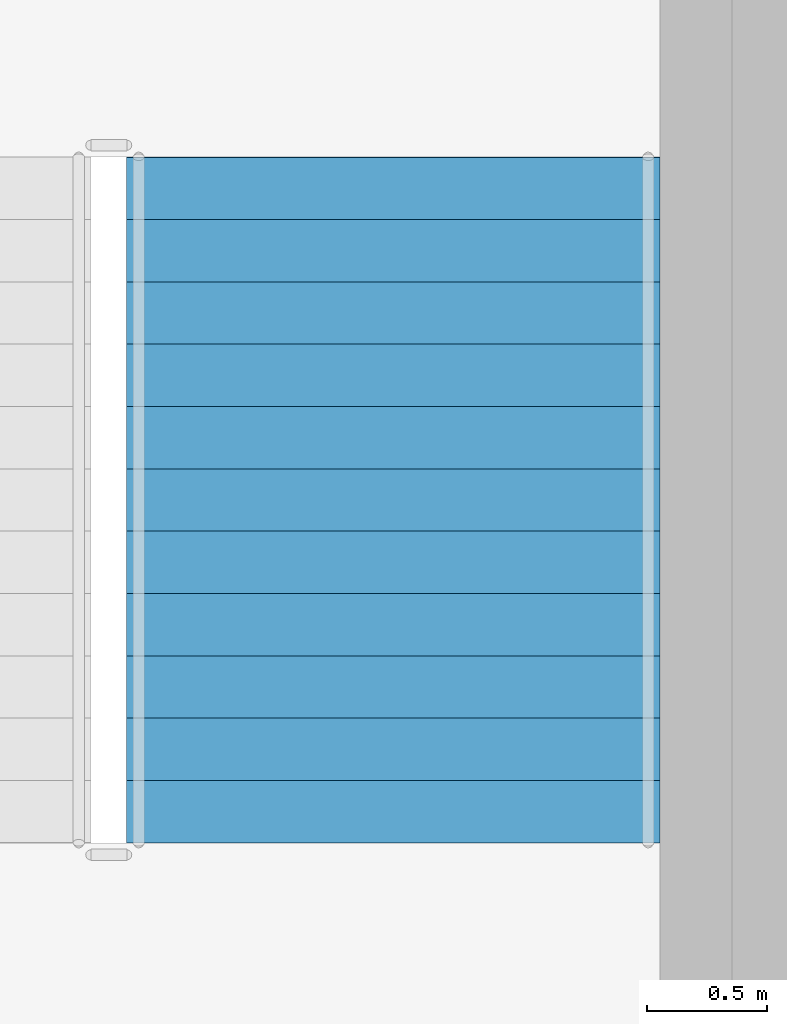
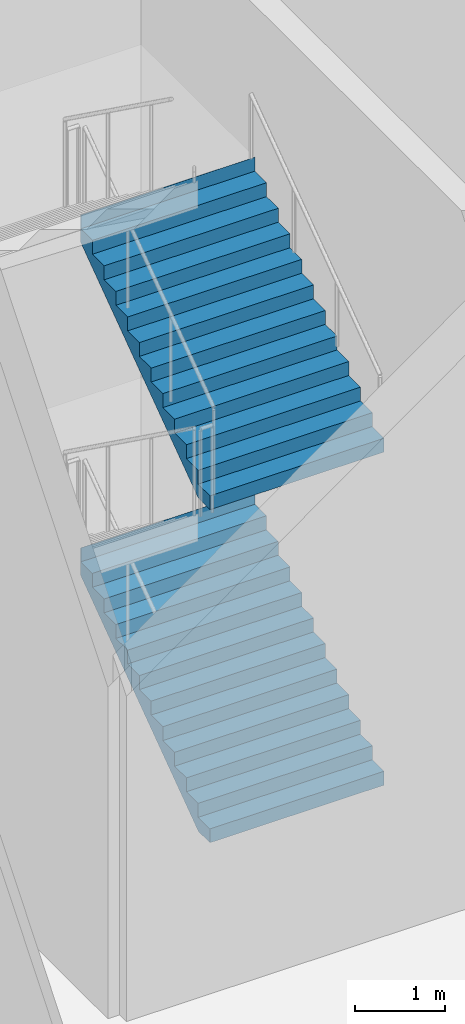
# One storey, part 26 of 35: 2 stair flights, 1 element without a shape of its own.
"""IFC4 building model written with IfcOpenShell, lengths in metres."""

from ifc_helpers import new_model, si_unit, direction, frame, origin, place, context, subcontext, project, spatial, triangles, material, type_object, element, aggregate, save


model = new_model("IFC4")

# Units and contexts
model_context = context("Model", 3, precision=1e-05, world=origin(), true_north=direction((0.0, 1.0)))
body_context = subcontext(model_context, "Body", "Model", "MODEL_VIEW")
ifc_project = project(units=[si_unit("LENGTHUNIT", "METRE"), si_unit("AREAUNIT", "SQUARE_METRE"), si_unit("VOLUMEUNIT", "CUBIC_METRE"), si_unit("PLANEANGLEUNIT", "RADIAN"), si_unit("MASSUNIT", "GRAM", prefix="KILO")], contexts=[model_context])

# Site, building, storey
site_placement = place(None, origin())
site = spatial("IfcSite", under=ifc_project, at=site_placement, CompositionType="ELEMENT")
building_placement = place(site_placement, origin())
building = spatial("IfcBuilding", under=site, at=building_placement, Name="Sahrelin Media Tower", CompositionType="ELEMENT")
storey_placement = place(building_placement, frame((0.0, 0.0, 17.0)))
storey = spatial("IfcBuildingStorey", under=building, at=storey_placement, Name="L02", CompositionType="ELEMENT", Elevation=17.0)

# Stair, stair flights
ifc_material = material(Name="Concrete C40/50", Category="concrete")
stair_type = type_object("IfcStairType", Name="Podium stair 2225", PredefinedType="HALF_TURN_STAIR", material=ifc_material)
stair_placement = place(storey_placement, origin())
stair = element("IfcStair", 1, at=stair_placement, inside=storey, type_object=stair_type, Name="L02 Podium stair PS1", PredefinedType="HALF_TURN_STAIR")
stair_flight_type = type_object("IfcStairFlightType", Name="Stair flight 2225", PredefinedType="STRAIGHT", material=ifc_material)
stair_flight_1_placement = place(storey_placement, frame((11.83740234375, 30.625, 0.0), z_axis=(0.0, 0.0, 1.0), x_axis=(0.0, 1.0, 0.0)))
stair_flight_1 = element("IfcStairFlight", 2, at=stair_flight_1_placement, type_object=stair_flight_type, Name="PS1 flight 1", NumberOfRisers=12, NumberOfTreads=11, PredefinedType="STRAIGHT", RiserHeight=0.1875, TreadLength=0.26, context=body_context, shape_type="Tessellation", body=[
    triangles([(0.25634765625, 1.112548828125, 0.0), (0.25634765625, 0.794677734375, 0.0), (0.25634765625, 0.476806640625, 0.0), (0.25634765625, 0.158935546875, 0.0), (0.25634765625, -0.158935546875, 0.0), (0.25634765625, -0.476806640625, 0.0), (0.25634765625, -0.794677734375, 0.0), (0.25634765625, -1.112548828125, 0.0), (2.860107421875, 1.112548828125, 1.877685546875), (2.860107421875, 0.794677734375, 1.877685546875), (2.860107421875, 0.476806640625, 1.877685546875), (2.860107421875, 0.158935546875, 1.877685546875), (2.860107421875, -0.158935546875, 1.877685546875), (2.860107421875, -0.476806640625, 1.877685546875), (2.860107421875, -0.794677734375, 1.877685546875), (2.860107421875, -1.112548828125, 1.877685546875), (2.860107421875, 1.112548828125, 2.25), (2.860107421875, 0.794677734375, 2.25), (2.860107421875, 0.476806640625, 2.25), (2.860107421875, 0.158935546875, 2.25), (2.860107421875, -0.158935546875, 2.25), (2.860107421875, -0.476806640625, 2.25), (2.860107421875, -0.794677734375, 2.25), (2.860107421875, -1.112548828125, 2.25), (2.85791015625, 1.112548828125, 2.25), (2.85791015625, 0.794677734375, 2.25), (2.85791015625, 0.476806640625, 2.25), (2.85791015625, 0.158935546875, 2.25), (2.85791015625, -0.158935546875, 2.25), (2.85791015625, -0.476806640625, 2.25), (2.85791015625, -0.794677734375, 2.25), (2.85791015625, -1.112548828125, 2.25), (2.85791015625, 1.112548828125, 2.0625), (2.85791015625, 0.794677734375, 2.0625), (2.85791015625, 0.476806640625, 2.0625), (2.85791015625, 0.158935546875, 2.0625), (2.85791015625, -0.158935546875, 2.0625), (2.85791015625, -0.476806640625, 2.0625), (2.85791015625, -0.794677734375, 2.0625), (2.85791015625, -1.112548828125, 2.0625), (2.60009765625, 1.112548828125, 2.0625), (2.60009765625, 0.794677734375, 2.0625), (2.60009765625, 0.476806640625, 2.0625), (2.60009765625, 0.158935546875, 2.0625), (2.60009765625, -0.158935546875, 2.0625), (2.60009765625, -0.476806640625, 2.0625), (2.60009765625, -0.794677734375, 2.0625), (2.60009765625, -1.112548828125, 2.0625), (2.60009765625, 1.112548828125, 1.875), (2.60009765625, 0.794677734375, 1.875), (2.60009765625, 0.476806640625, 1.875), (2.60009765625, 0.158935546875, 1.875), (2.60009765625, -0.158935546875, 1.875), (2.60009765625, -0.476806640625, 1.875), (2.60009765625, -0.794677734375, 1.875), (2.60009765625, -1.112548828125, 1.875), (2.340087890625, 1.112548828125, 1.875), (2.340087890625, 0.794677734375, 1.875), (2.340087890625, 0.476806640625, 1.875), (2.340087890625, 0.158935546875, 1.875), (2.340087890625, -0.158935546875, 1.875), (2.340087890625, -0.476806640625, 1.875), (2.340087890625, -0.794677734375, 1.875), (2.340087890625, -1.112548828125, 1.875), (2.340087890625, 1.112548828125, 1.6875), (2.340087890625, 0.794677734375, 1.6875), (2.340087890625, 0.476806640625, 1.6875), (2.340087890625, 0.158935546875, 1.6875), (2.340087890625, -0.158935546875, 1.6875), (2.340087890625, -0.476806640625, 1.6875), (2.340087890625, -0.794677734375, 1.6875), (2.340087890625, -1.112548828125, 1.6875), (2.080078125, 1.112548828125, 1.6875), (2.080078125, 0.794677734375, 1.6875), (2.080078125, 0.476806640625, 1.6875), (2.080078125, 0.158935546875, 1.6875), (2.080078125, -0.158935546875, 1.6875), (2.080078125, -0.476806640625, 1.6875), (2.080078125, -0.794677734375, 1.6875), (2.080078125, -1.112548828125, 1.6875), (2.080078125, 1.112548828125, 1.5), (2.080078125, 0.794677734375, 1.5), (2.080078125, 0.476806640625, 1.5), (2.080078125, 0.158935546875, 1.5), (2.080078125, -0.158935546875, 1.5), (2.080078125, -0.476806640625, 1.5), (2.080078125, -0.794677734375, 1.5), (2.080078125, -1.112548828125, 1.5), (1.820068359375, 1.112548828125, 1.5), (1.820068359375, 0.794677734375, 1.5), (1.820068359375, 0.476806640625, 1.5), (1.820068359375, 0.158935546875, 1.5), (1.820068359375, -0.158935546875, 1.5), (1.820068359375, -0.476806640625, 1.5), (1.820068359375, -0.794677734375, 1.5), (1.820068359375, -1.112548828125, 1.5), (1.820068359375, 1.112548828125, 1.3125), (1.820068359375, 0.794677734375, 1.3125), (1.820068359375, 0.476806640625, 1.3125), (1.820068359375, 0.158935546875, 1.3125), (1.820068359375, -0.158935546875, 1.3125), (1.820068359375, -0.476806640625, 1.3125), (1.820068359375, -0.794677734375, 1.3125), (1.820068359375, -1.112548828125, 1.3125), (1.56005859375, 1.112548828125, 1.3125), (1.56005859375, 0.794677734375, 1.3125), (1.56005859375, 0.476806640625, 1.3125), (1.56005859375, 0.158935546875, 1.3125), (1.56005859375, -0.158935546875, 1.3125), (1.56005859375, -0.476806640625, 1.3125), (1.56005859375, -0.794677734375, 1.3125), (1.56005859375, -1.112548828125, 1.3125), (1.56005859375, 1.112548828125, 1.125), (1.56005859375, 0.794677734375, 1.125), (1.56005859375, 0.476806640625, 1.125), (1.56005859375, 0.158935546875, 1.125), (1.56005859375, -0.158935546875, 1.125), (1.56005859375, -0.476806640625, 1.125), (1.56005859375, -0.794677734375, 1.125), (1.56005859375, -1.112548828125, 1.125), (1.300048828125, 1.112548828125, 1.125), (1.300048828125, 0.794677734375, 1.125), (1.300048828125, 0.476806640625, 1.125), (1.300048828125, 0.158935546875, 1.125), (1.300048828125, -0.158935546875, 1.125), (1.300048828125, -0.476806640625, 1.125), (1.300048828125, -0.794677734375, 1.125), (1.300048828125, -1.112548828125, 1.125), (1.300048828125, 1.112548828125, 0.9375), (1.300048828125, 0.794677734375, 0.9375), (1.300048828125, 0.476806640625, 0.9375), (1.300048828125, 0.158935546875, 0.9375), (1.300048828125, -0.158935546875, 0.9375), (1.300048828125, -0.476806640625, 0.9375), (1.300048828125, -0.794677734375, 0.9375), (1.300048828125, -1.112548828125, 0.9375), (1.0400390625, 1.112548828125, 0.9375), (1.0400390625, 0.794677734375, 0.9375), (1.0400390625, 0.476806640625, 0.9375), (1.0400390625, 0.158935546875, 0.9375), (1.0400390625, -0.158935546875, 0.9375), (1.0400390625, -0.476806640625, 0.9375), (1.0400390625, -0.794677734375, 0.9375), (1.0400390625, -1.112548828125, 0.9375), (1.0400390625, 1.112548828125, 0.75), (1.0400390625, 0.794677734375, 0.75), (1.0400390625, 0.476806640625, 0.75), (1.0400390625, 0.158935546875, 0.75), (1.0400390625, -0.158935546875, 0.75), (1.0400390625, -0.476806640625, 0.75), (1.0400390625, -0.794677734375, 0.75), (1.0400390625, -1.112548828125, 0.75), (0.780029296875, 1.112548828125, 0.75), (0.780029296875, 0.794677734375, 0.75), (0.780029296875, 0.476806640625, 0.75), (0.780029296875, 0.158935546875, 0.75), (0.780029296875, -0.158935546875, 0.75), (0.780029296875, -0.476806640625, 0.75), (0.780029296875, -0.794677734375, 0.75), (0.780029296875, -1.112548828125, 0.75), (0.780029296875, 1.112548828125, 0.5625), (0.780029296875, 0.794677734375, 0.5625), (0.780029296875, 0.476806640625, 0.5625), (0.780029296875, 0.158935546875, 0.5625), (0.780029296875, -0.158935546875, 0.5625), (0.780029296875, -0.476806640625, 0.5625), (0.780029296875, -0.794677734375, 0.5625), (0.780029296875, -1.112548828125, 0.5625), (0.52001953125, 1.112548828125, 0.5625), (0.52001953125, 0.794677734375, 0.5625), (0.52001953125, 0.476806640625, 0.5625), (0.52001953125, 0.158935546875, 0.5625), (0.52001953125, -0.158935546875, 0.5625), (0.52001953125, -0.476806640625, 0.5625), (0.52001953125, -0.794677734375, 0.5625), (0.52001953125, -1.112548828125, 0.5625), (0.52001953125, 1.112548828125, 0.375), (0.52001953125, 0.794677734375, 0.375), (0.52001953125, 0.476806640625, 0.375), (0.52001953125, 0.158935546875, 0.375), (0.52001953125, -0.158935546875, 0.375), (0.52001953125, -0.476806640625, 0.375), (0.52001953125, -0.794677734375, 0.375), (0.52001953125, -1.112548828125, 0.375), (0.260009765625, 1.112548828125, 0.375), (0.260009765625, 0.794677734375, 0.375), (0.260009765625, 0.476806640625, 0.375), (0.260009765625, 0.158935546875, 0.375), (0.260009765625, -0.158935546875, 0.375), (0.260009765625, -0.476806640625, 0.375), (0.260009765625, -0.794677734375, 0.375), (0.260009765625, -1.112548828125, 0.375), (0.260009765625, 1.112548828125, 0.1875), (0.260009765625, 0.794677734375, 0.1875), (0.260009765625, 0.476806640625, 0.1875), (0.260009765625, 0.158935546875, 0.1875), (0.260009765625, -0.158935546875, 0.1875), (0.260009765625, -0.476806640625, 0.1875), (0.260009765625, -0.794677734375, 0.1875), (0.260009765625, -1.112548828125, 0.1875), (0.0, 1.112548828125, 0.1875), (0.0, 0.794677734375, 0.1875), (0.0, 0.476806640625, 0.1875), (0.0, 0.158935546875, 0.1875), (0.0, -0.158935546875, 0.1875), (0.0, -0.476806640625, 0.1875), (0.0, -0.794677734375, 0.1875), (0.0, -1.112548828125, 0.1875), (0.0, 1.112548828125, 0.0), (0.0, 0.794677734375, 0.0), (0.0, 0.476806640625, 0.0), (0.0, 0.158935546875, 0.0), (0.0, -0.158935546875, 0.0), (0.0, -0.476806640625, 0.0), (0.0, -0.794677734375, 0.0), (0.0, -1.112548828125, 0.0)], [[1, 9, 10], [1, 10, 2], [2, 10, 11], [2, 11, 3], [3, 11, 12], [3, 12, 4], [4, 12, 13], [4, 13, 5], [5, 13, 14], [5, 14, 6], [6, 14, 15], [6, 15, 7], [7, 15, 16], [7, 16, 8], [9, 17, 18], [9, 18, 10], [10, 18, 19], [10, 19, 11], [11, 19, 20], [11, 20, 12], [12, 20, 21], [12, 21, 13], [13, 21, 22], [13, 22, 14], [14, 22, 23], [14, 23, 15], [15, 23, 24], [15, 24, 16], [17, 25, 26], [17, 26, 18], [18, 26, 27], [18, 27, 19], [19, 27, 28], [19, 28, 20], [20, 28, 29], [20, 29, 21], [21, 29, 30], [21, 30, 22], [22, 30, 31], [22, 31, 23], [23, 31, 32], [23, 32, 24], [25, 33, 34], [25, 34, 26], [26, 34, 35], [26, 35, 27], [27, 35, 36], [27, 36, 28], [28, 36, 37], [28, 37, 29], [29, 37, 38], [29, 38, 30], [30, 38, 39], [30, 39, 31], [31, 39, 40], [31, 40, 32], [33, 41, 42], [33, 42, 34], [34, 42, 43], [34, 43, 35], [35, 43, 44], [35, 44, 36], [36, 44, 45], [36, 45, 37], [37, 45, 46], [37, 46, 38], [38, 46, 47], [38, 47, 39], [39, 47, 48], [39, 48, 40], [41, 49, 50], [41, 50, 42], [42, 50, 51], [42, 51, 43], [43, 51, 52], [43, 52, 44], [44, 52, 53], [44, 53, 45], [45, 53, 54], [45, 54, 46], [46, 54, 55], [46, 55, 47], [47, 55, 56], [47, 56, 48], [49, 57, 58], [49, 58, 50], [50, 58, 59], [50, 59, 51], [51, 59, 60], [51, 60, 52], [52, 60, 61], [52, 61, 53], [53, 61, 62], [53, 62, 54], [54, 62, 63], [54, 63, 55], [55, 63, 64], [55, 64, 56], [57, 65, 66], [57, 66, 58], [58, 66, 67], [58, 67, 59], [59, 67, 68], [59, 68, 60], [60, 68, 69], [60, 69, 61], [61, 69, 70], [61, 70, 62], [62, 70, 71], [62, 71, 63], [63, 71, 72], [63, 72, 64], [65, 73, 74], [65, 74, 66], [66, 74, 75], [66, 75, 67], [67, 75, 76], [67, 76, 68], [68, 76, 77], [68, 77, 69], [69, 77, 78], [69, 78, 70], [70, 78, 79], [70, 79, 71], [71, 79, 80], [71, 80, 72], [73, 81, 82], [73, 82, 74], [74, 82, 83], [74, 83, 75], [75, 83, 84], [75, 84, 76], [76, 84, 85], [76, 85, 77], [77, 85, 86], [77, 86, 78], [78, 86, 87], [78, 87, 79], [79, 87, 88], [79, 88, 80], [81, 89, 90], [81, 90, 82], [82, 90, 91], [82, 91, 83], [83, 91, 92], [83, 92, 84], [84, 92, 93], [84, 93, 85], [85, 93, 94], [85, 94, 86], [86, 94, 95], [86, 95, 87], [87, 95, 96], [87, 96, 88], [89, 97, 98], [89, 98, 90], [90, 98, 99], [90, 99, 91], [91, 99, 100], [91, 100, 92], [92, 100, 101], [92, 101, 93], [93, 101, 102], [93, 102, 94], [94, 102, 103], [94, 103, 95], [95, 103, 104], [95, 104, 96], [97, 105, 106], [97, 106, 98], [98, 106, 107], [98, 107, 99], [99, 107, 108], [99, 108, 100], [100, 108, 109], [100, 109, 101], [101, 109, 110], [101, 110, 102], [102, 110, 111], [102, 111, 103], [103, 111, 112], [103, 112, 104], [105, 113, 114], [105, 114, 106], [106, 114, 115], [106, 115, 107], [107, 115, 116], [107, 116, 108], [108, 116, 117], [108, 117, 109], [109, 117, 118], [109, 118, 110], [110, 118, 119], [110, 119, 111], [111, 119, 120], [111, 120, 112], [113, 121, 122], [113, 122, 114], [114, 122, 123], [114, 123, 115], [115, 123, 124], [115, 124, 116], [116, 124, 125], [116, 125, 117], [117, 125, 126], [117, 126, 118], [118, 126, 127], [118, 127, 119], [119, 127, 128], [119, 128, 120], [121, 129, 130], [121, 130, 122], [122, 130, 131], [122, 131, 123], [123, 131, 132], [123, 132, 124], [124, 132, 133], [124, 133, 125], [125, 133, 134], [125, 134, 126], [126, 134, 135], [126, 135, 127], [127, 135, 136], [127, 136, 128], [129, 137, 138], [129, 138, 130], [130, 138, 139], [130, 139, 131], [131, 139, 140], [131, 140, 132], [132, 140, 141], [132, 141, 133], [133, 141, 142], [133, 142, 134], [134, 142, 143], [134, 143, 135], [135, 143, 144], [135, 144, 136], [137, 145, 146], [137, 146, 138], [138, 146, 147], [138, 147, 139], [139, 147, 148], [139, 148, 140], [140, 148, 149], [140, 149, 141], [141, 149, 150], [141, 150, 142], [142, 150, 151], [142, 151, 143], [143, 151, 152], [143, 152, 144], [145, 153, 154], [145, 154, 146], [146, 154, 155], [146, 155, 147], [147, 155, 156], [147, 156, 148], [148, 156, 157], [148, 157, 149], [149, 157, 158], [149, 158, 150], [150, 158, 159], [150, 159, 151], [151, 159, 160], [151, 160, 152], [153, 161, 162], [153, 162, 154], [154, 162, 163], [154, 163, 155], [155, 163, 164], [155, 164, 156], [156, 164, 165], [156, 165, 157], [157, 165, 166], [157, 166, 158], [158, 166, 167], [158, 167, 159], [159, 167, 168], [159, 168, 160], [161, 169, 170], [161, 170, 162], [162, 170, 171], [162, 171, 163], [163, 171, 172], [163, 172, 164], [164, 172, 173], [164, 173, 165], [165, 173, 174], [165, 174, 166], [166, 174, 175], [166, 175, 167], [167, 175, 176], [167, 176, 168], [169, 177, 178], [169, 178, 170], [170, 178, 179], [170, 179, 171], [171, 179, 180], [171, 180, 172], [172, 180, 181], [172, 181, 173], [173, 181, 182], [173, 182, 174], [174, 182, 183], [174, 183, 175], [175, 183, 184], [175, 184, 176], [177, 185, 186], [177, 186, 178], [178, 186, 187], [178, 187, 179], [179, 187, 188], [179, 188, 180], [180, 188, 189], [180, 189, 181], [181, 189, 190], [181, 190, 182], [182, 190, 191], [182, 191, 183], [183, 191, 192], [183, 192, 184], [185, 193, 194], [185, 194, 186], [186, 194, 195], [186, 195, 187], [187, 195, 196], [187, 196, 188], [188, 196, 197], [188, 197, 189], [189, 197, 198], [189, 198, 190], [190, 198, 199], [190, 199, 191], [191, 199, 200], [191, 200, 192], [193, 201, 202], [193, 202, 194], [194, 202, 203], [194, 203, 195], [195, 203, 204], [195, 204, 196], [196, 204, 205], [196, 205, 197], [197, 205, 206], [197, 206, 198], [198, 206, 207], [198, 207, 199], [199, 207, 208], [199, 208, 200], [201, 209, 210], [201, 210, 202], [202, 210, 211], [202, 211, 203], [203, 211, 212], [203, 212, 204], [204, 212, 213], [204, 213, 205], [205, 213, 214], [205, 214, 206], [206, 214, 215], [206, 215, 207], [207, 215, 216], [207, 216, 208], [209, 1, 2], [209, 2, 210], [210, 2, 3], [210, 3, 211], [211, 3, 4], [211, 4, 212], [212, 4, 5], [212, 5, 213], [213, 5, 6], [213, 6, 214], [214, 6, 7], [214, 7, 215], [215, 7, 8], [215, 8, 216], [8, 208, 216], [1, 209, 201], [200, 184, 192], [193, 185, 177], [184, 168, 176], [177, 169, 161], [168, 152, 160], [161, 153, 145], [152, 136, 144], [145, 137, 129], [136, 120, 128], [129, 121, 113], [120, 104, 112], [113, 105, 97], [104, 88, 96], [97, 89, 81], [88, 72, 80], [81, 73, 65], [72, 56, 64], [65, 57, 49], [56, 40, 48], [49, 41, 33], [40, 24, 32], [33, 25, 17], [8, 200, 208], [1, 201, 193], [16, 56, 72], [9, 65, 49], [40, 16, 24], [33, 17, 9], [184, 200, 8], [177, 1, 193], [56, 16, 40], [49, 33, 9], [168, 184, 8], [161, 1, 177], [72, 88, 16], [65, 9, 81], [152, 168, 8], [145, 1, 161], [104, 16, 88], [97, 81, 9], [136, 152, 8], [129, 1, 145], [120, 16, 104], [113, 97, 9], [120, 136, 8], [113, 1, 129], [8, 16, 120], [1, 113, 9]], closed=True),
])
stair_flight_2_placement = place(storey_placement, frame((11.83740234375, 30.625, 4.5), z_axis=(0.0, 0.0, 1.0), x_axis=(0.0, 1.0, 0.0)))
stair_flight_2 = element("IfcStairFlight", 3, at=stair_flight_2_placement, type_object=stair_flight_type, Name="PS1 flight 3", NumberOfRisers=12, NumberOfTreads=11, PredefinedType="STRAIGHT", RiserHeight=0.1875, TreadLength=0.26, context=body_context, shape_type="Tessellation", body=[
    triangles([(0.25634765625, 1.112548828125, 0.0), (0.25634765625, 0.794677734375, 0.0), (0.25634765625, 0.476806640625, 0.0), (0.25634765625, 0.158935546875, 0.0), (0.25634765625, -0.158935546875, 0.0), (0.25634765625, -0.476806640625, 0.0), (0.25634765625, -0.794677734375, 0.0), (0.25634765625, -1.112548828125, 0.0), (2.860107421875, 1.112548828125, 1.877685546875), (2.860107421875, 0.794677734375, 1.877685546875), (2.860107421875, 0.476806640625, 1.877685546875), (2.860107421875, 0.158935546875, 1.877685546875), (2.860107421875, -0.158935546875, 1.877685546875), (2.860107421875, -0.476806640625, 1.877685546875), (2.860107421875, -0.794677734375, 1.877685546875), (2.860107421875, -1.112548828125, 1.877685546875), (2.860107421875, 1.112548828125, 2.25), (2.860107421875, 0.794677734375, 2.25), (2.860107421875, 0.476806640625, 2.25), (2.860107421875, 0.158935546875, 2.25), (2.860107421875, -0.158935546875, 2.25), (2.860107421875, -0.476806640625, 2.25), (2.860107421875, -0.794677734375, 2.25), (2.860107421875, -1.112548828125, 2.25), (2.85791015625, 1.112548828125, 2.25), (2.85791015625, 0.794677734375, 2.25), (2.85791015625, 0.476806640625, 2.25), (2.85791015625, 0.158935546875, 2.25), (2.85791015625, -0.158935546875, 2.25), (2.85791015625, -0.476806640625, 2.25), (2.85791015625, -0.794677734375, 2.25), (2.85791015625, -1.112548828125, 2.25), (2.85791015625, 1.112548828125, 2.0625), (2.85791015625, 0.794677734375, 2.0625), (2.85791015625, 0.476806640625, 2.0625), (2.85791015625, 0.158935546875, 2.0625), (2.85791015625, -0.158935546875, 2.0625), (2.85791015625, -0.476806640625, 2.0625), (2.85791015625, -0.794677734375, 2.0625), (2.85791015625, -1.112548828125, 2.0625), (2.60009765625, 1.112548828125, 2.0625), (2.60009765625, 0.794677734375, 2.0625), (2.60009765625, 0.476806640625, 2.0625), (2.60009765625, 0.158935546875, 2.0625), (2.60009765625, -0.158935546875, 2.0625), (2.60009765625, -0.476806640625, 2.0625), (2.60009765625, -0.794677734375, 2.0625), (2.60009765625, -1.112548828125, 2.0625), (2.60009765625, 1.112548828125, 1.875), (2.60009765625, 0.794677734375, 1.875), (2.60009765625, 0.476806640625, 1.875), (2.60009765625, 0.158935546875, 1.875), (2.60009765625, -0.158935546875, 1.875), (2.60009765625, -0.476806640625, 1.875), (2.60009765625, -0.794677734375, 1.875), (2.60009765625, -1.112548828125, 1.875), (2.340087890625, 1.112548828125, 1.875), (2.340087890625, 0.794677734375, 1.875), (2.340087890625, 0.476806640625, 1.875), (2.340087890625, 0.158935546875, 1.875), (2.340087890625, -0.158935546875, 1.875), (2.340087890625, -0.476806640625, 1.875), (2.340087890625, -0.794677734375, 1.875), (2.340087890625, -1.112548828125, 1.875), (2.340087890625, 1.112548828125, 1.6875), (2.340087890625, 0.794677734375, 1.6875), (2.340087890625, 0.476806640625, 1.6875), (2.340087890625, 0.158935546875, 1.6875), (2.340087890625, -0.158935546875, 1.6875), (2.340087890625, -0.476806640625, 1.6875), (2.340087890625, -0.794677734375, 1.6875), (2.340087890625, -1.112548828125, 1.6875), (2.080078125, 1.112548828125, 1.6875), (2.080078125, 0.794677734375, 1.6875), (2.080078125, 0.476806640625, 1.6875), (2.080078125, 0.158935546875, 1.6875), (2.080078125, -0.158935546875, 1.6875), (2.080078125, -0.476806640625, 1.6875), (2.080078125, -0.794677734375, 1.6875), (2.080078125, -1.112548828125, 1.6875), (2.080078125, 1.112548828125, 1.5), (2.080078125, 0.794677734375, 1.5), (2.080078125, 0.476806640625, 1.5), (2.080078125, 0.158935546875, 1.5), (2.080078125, -0.158935546875, 1.5), (2.080078125, -0.476806640625, 1.5), (2.080078125, -0.794677734375, 1.5), (2.080078125, -1.112548828125, 1.5), (1.820068359375, 1.112548828125, 1.5), (1.820068359375, 0.794677734375, 1.5), (1.820068359375, 0.476806640625, 1.5), (1.820068359375, 0.158935546875, 1.5), (1.820068359375, -0.158935546875, 1.5), (1.820068359375, -0.476806640625, 1.5), (1.820068359375, -0.794677734375, 1.5), (1.820068359375, -1.112548828125, 1.5), (1.820068359375, 1.112548828125, 1.3125), (1.820068359375, 0.794677734375, 1.3125), (1.820068359375, 0.476806640625, 1.3125), (1.820068359375, 0.158935546875, 1.3125), (1.820068359375, -0.158935546875, 1.3125), (1.820068359375, -0.476806640625, 1.3125), (1.820068359375, -0.794677734375, 1.3125), (1.820068359375, -1.112548828125, 1.3125), (1.56005859375, 1.112548828125, 1.3125), (1.56005859375, 0.794677734375, 1.3125), (1.56005859375, 0.476806640625, 1.3125), (1.56005859375, 0.158935546875, 1.3125), (1.56005859375, -0.158935546875, 1.3125), (1.56005859375, -0.476806640625, 1.3125), (1.56005859375, -0.794677734375, 1.3125), (1.56005859375, -1.112548828125, 1.3125), (1.56005859375, 1.112548828125, 1.125), (1.56005859375, 0.794677734375, 1.125), (1.56005859375, 0.476806640625, 1.125), (1.56005859375, 0.158935546875, 1.125), (1.56005859375, -0.158935546875, 1.125), (1.56005859375, -0.476806640625, 1.125), (1.56005859375, -0.794677734375, 1.125), (1.56005859375, -1.112548828125, 1.125), (1.300048828125, 1.112548828125, 1.125), (1.300048828125, 0.794677734375, 1.125), (1.300048828125, 0.476806640625, 1.125), (1.300048828125, 0.158935546875, 1.125), (1.300048828125, -0.158935546875, 1.125), (1.300048828125, -0.476806640625, 1.125), (1.300048828125, -0.794677734375, 1.125), (1.300048828125, -1.112548828125, 1.125), (1.300048828125, 1.112548828125, 0.9375), (1.300048828125, 0.794677734375, 0.9375), (1.300048828125, 0.476806640625, 0.9375), (1.300048828125, 0.158935546875, 0.9375), (1.300048828125, -0.158935546875, 0.9375), (1.300048828125, -0.476806640625, 0.9375), (1.300048828125, -0.794677734375, 0.9375), (1.300048828125, -1.112548828125, 0.9375), (1.0400390625, 1.112548828125, 0.9375), (1.0400390625, 0.794677734375, 0.9375), (1.0400390625, 0.476806640625, 0.9375), (1.0400390625, 0.158935546875, 0.9375), (1.0400390625, -0.158935546875, 0.9375), (1.0400390625, -0.476806640625, 0.9375), (1.0400390625, -0.794677734375, 0.9375), (1.0400390625, -1.112548828125, 0.9375), (1.0400390625, 1.112548828125, 0.75), (1.0400390625, 0.794677734375, 0.75), (1.0400390625, 0.476806640625, 0.75), (1.0400390625, 0.158935546875, 0.75), (1.0400390625, -0.158935546875, 0.75), (1.0400390625, -0.476806640625, 0.75), (1.0400390625, -0.794677734375, 0.75), (1.0400390625, -1.112548828125, 0.75), (0.780029296875, 1.112548828125, 0.75), (0.780029296875, 0.794677734375, 0.75), (0.780029296875, 0.476806640625, 0.75), (0.780029296875, 0.158935546875, 0.75), (0.780029296875, -0.158935546875, 0.75), (0.780029296875, -0.476806640625, 0.75), (0.780029296875, -0.794677734375, 0.75), (0.780029296875, -1.112548828125, 0.75), (0.780029296875, 1.112548828125, 0.5625), (0.780029296875, 0.794677734375, 0.5625), (0.780029296875, 0.476806640625, 0.5625), (0.780029296875, 0.158935546875, 0.5625), (0.780029296875, -0.158935546875, 0.5625), (0.780029296875, -0.476806640625, 0.5625), (0.780029296875, -0.794677734375, 0.5625), (0.780029296875, -1.112548828125, 0.5625), (0.52001953125, 1.112548828125, 0.5625), (0.52001953125, 0.794677734375, 0.5625), (0.52001953125, 0.476806640625, 0.5625), (0.52001953125, 0.158935546875, 0.5625), (0.52001953125, -0.158935546875, 0.5625), (0.52001953125, -0.476806640625, 0.5625), (0.52001953125, -0.794677734375, 0.5625), (0.52001953125, -1.112548828125, 0.5625), (0.52001953125, 1.112548828125, 0.375), (0.52001953125, 0.794677734375, 0.375), (0.52001953125, 0.476806640625, 0.375), (0.52001953125, 0.158935546875, 0.375), (0.52001953125, -0.158935546875, 0.375), (0.52001953125, -0.476806640625, 0.375), (0.52001953125, -0.794677734375, 0.375), (0.52001953125, -1.112548828125, 0.375), (0.260009765625, 1.112548828125, 0.375), (0.260009765625, 0.794677734375, 0.375), (0.260009765625, 0.476806640625, 0.375), (0.260009765625, 0.158935546875, 0.375), (0.260009765625, -0.158935546875, 0.375), (0.260009765625, -0.476806640625, 0.375), (0.260009765625, -0.794677734375, 0.375), (0.260009765625, -1.112548828125, 0.375), (0.260009765625, 1.112548828125, 0.1875), (0.260009765625, 0.794677734375, 0.1875), (0.260009765625, 0.476806640625, 0.1875), (0.260009765625, 0.158935546875, 0.1875), (0.260009765625, -0.158935546875, 0.1875), (0.260009765625, -0.476806640625, 0.1875), (0.260009765625, -0.794677734375, 0.1875), (0.260009765625, -1.112548828125, 0.1875), (0.0, 1.112548828125, 0.1875), (0.0, 0.794677734375, 0.1875), (0.0, 0.476806640625, 0.1875), (0.0, 0.158935546875, 0.1875), (0.0, -0.158935546875, 0.1875), (0.0, -0.476806640625, 0.1875), (0.0, -0.794677734375, 0.1875), (0.0, -1.112548828125, 0.1875), (0.0, 1.112548828125, 0.0), (0.0, 0.794677734375, 0.0), (0.0, 0.476806640625, 0.0), (0.0, 0.158935546875, 0.0), (0.0, -0.158935546875, 0.0), (0.0, -0.476806640625, 0.0), (0.0, -0.794677734375, 0.0), (0.0, -1.112548828125, 0.0)], [[1, 9, 10], [1, 10, 2], [2, 10, 11], [2, 11, 3], [3, 11, 12], [3, 12, 4], [4, 12, 13], [4, 13, 5], [5, 13, 14], [5, 14, 6], [6, 14, 15], [6, 15, 7], [7, 15, 16], [7, 16, 8], [9, 17, 18], [9, 18, 10], [10, 18, 19], [10, 19, 11], [11, 19, 20], [11, 20, 12], [12, 20, 21], [12, 21, 13], [13, 21, 22], [13, 22, 14], [14, 22, 23], [14, 23, 15], [15, 23, 24], [15, 24, 16], [17, 25, 26], [17, 26, 18], [18, 26, 27], [18, 27, 19], [19, 27, 28], [19, 28, 20], [20, 28, 29], [20, 29, 21], [21, 29, 30], [21, 30, 22], [22, 30, 31], [22, 31, 23], [23, 31, 32], [23, 32, 24], [25, 33, 34], [25, 34, 26], [26, 34, 35], [26, 35, 27], [27, 35, 36], [27, 36, 28], [28, 36, 37], [28, 37, 29], [29, 37, 38], [29, 38, 30], [30, 38, 39], [30, 39, 31], [31, 39, 40], [31, 40, 32], [33, 41, 42], [33, 42, 34], [34, 42, 43], [34, 43, 35], [35, 43, 44], [35, 44, 36], [36, 44, 45], [36, 45, 37], [37, 45, 46], [37, 46, 38], [38, 46, 47], [38, 47, 39], [39, 47, 48], [39, 48, 40], [41, 49, 50], [41, 50, 42], [42, 50, 51], [42, 51, 43], [43, 51, 52], [43, 52, 44], [44, 52, 53], [44, 53, 45], [45, 53, 54], [45, 54, 46], [46, 54, 55], [46, 55, 47], [47, 55, 56], [47, 56, 48], [49, 57, 58], [49, 58, 50], [50, 58, 59], [50, 59, 51], [51, 59, 60], [51, 60, 52], [52, 60, 61], [52, 61, 53], [53, 61, 62], [53, 62, 54], [54, 62, 63], [54, 63, 55], [55, 63, 64], [55, 64, 56], [57, 65, 66], [57, 66, 58], [58, 66, 67], [58, 67, 59], [59, 67, 68], [59, 68, 60], [60, 68, 69], [60, 69, 61], [61, 69, 70], [61, 70, 62], [62, 70, 71], [62, 71, 63], [63, 71, 72], [63, 72, 64], [65, 73, 74], [65, 74, 66], [66, 74, 75], [66, 75, 67], [67, 75, 76], [67, 76, 68], [68, 76, 77], [68, 77, 69], [69, 77, 78], [69, 78, 70], [70, 78, 79], [70, 79, 71], [71, 79, 80], [71, 80, 72], [73, 81, 82], [73, 82, 74], [74, 82, 83], [74, 83, 75], [75, 83, 84], [75, 84, 76], [76, 84, 85], [76, 85, 77], [77, 85, 86], [77, 86, 78], [78, 86, 87], [78, 87, 79], [79, 87, 88], [79, 88, 80], [81, 89, 90], [81, 90, 82], [82, 90, 91], [82, 91, 83], [83, 91, 92], [83, 92, 84], [84, 92, 93], [84, 93, 85], [85, 93, 94], [85, 94, 86], [86, 94, 95], [86, 95, 87], [87, 95, 96], [87, 96, 88], [89, 97, 98], [89, 98, 90], [90, 98, 99], [90, 99, 91], [91, 99, 100], [91, 100, 92], [92, 100, 101], [92, 101, 93], [93, 101, 102], [93, 102, 94], [94, 102, 103], [94, 103, 95], [95, 103, 104], [95, 104, 96], [97, 105, 106], [97, 106, 98], [98, 106, 107], [98, 107, 99], [99, 107, 108], [99, 108, 100], [100, 108, 109], [100, 109, 101], [101, 109, 110], [101, 110, 102], [102, 110, 111], [102, 111, 103], [103, 111, 112], [103, 112, 104], [105, 113, 114], [105, 114, 106], [106, 114, 115], [106, 115, 107], [107, 115, 116], [107, 116, 108], [108, 116, 117], [108, 117, 109], [109, 117, 118], [109, 118, 110], [110, 118, 119], [110, 119, 111], [111, 119, 120], [111, 120, 112], [113, 121, 122], [113, 122, 114], [114, 122, 123], [114, 123, 115], [115, 123, 124], [115, 124, 116], [116, 124, 125], [116, 125, 117], [117, 125, 126], [117, 126, 118], [118, 126, 127], [118, 127, 119], [119, 127, 128], [119, 128, 120], [121, 129, 130], [121, 130, 122], [122, 130, 131], [122, 131, 123], [123, 131, 132], [123, 132, 124], [124, 132, 133], [124, 133, 125], [125, 133, 134], [125, 134, 126], [126, 134, 135], [126, 135, 127], [127, 135, 136], [127, 136, 128], [129, 137, 138], [129, 138, 130], [130, 138, 139], [130, 139, 131], [131, 139, 140], [131, 140, 132], [132, 140, 141], [132, 141, 133], [133, 141, 142], [133, 142, 134], [134, 142, 143], [134, 143, 135], [135, 143, 144], [135, 144, 136], [137, 145, 146], [137, 146, 138], [138, 146, 147], [138, 147, 139], [139, 147, 148], [139, 148, 140], [140, 148, 149], [140, 149, 141], [141, 149, 150], [141, 150, 142], [142, 150, 151], [142, 151, 143], [143, 151, 152], [143, 152, 144], [145, 153, 154], [145, 154, 146], [146, 154, 155], [146, 155, 147], [147, 155, 156], [147, 156, 148], [148, 156, 157], [148, 157, 149], [149, 157, 158], [149, 158, 150], [150, 158, 159], [150, 159, 151], [151, 159, 160], [151, 160, 152], [153, 161, 162], [153, 162, 154], [154, 162, 163], [154, 163, 155], [155, 163, 164], [155, 164, 156], [156, 164, 165], [156, 165, 157], [157, 165, 166], [157, 166, 158], [158, 166, 167], [158, 167, 159], [159, 167, 168], [159, 168, 160], [161, 169, 170], [161, 170, 162], [162, 170, 171], [162, 171, 163], [163, 171, 172], [163, 172, 164], [164, 172, 173], [164, 173, 165], [165, 173, 174], [165, 174, 166], [166, 174, 175], [166, 175, 167], [167, 175, 176], [167, 176, 168], [169, 177, 178], [169, 178, 170], [170, 178, 179], [170, 179, 171], [171, 179, 180], [171, 180, 172], [172, 180, 181], [172, 181, 173], [173, 181, 182], [173, 182, 174], [174, 182, 183], [174, 183, 175], [175, 183, 184], [175, 184, 176], [177, 185, 186], [177, 186, 178], [178, 186, 187], [178, 187, 179], [179, 187, 188], [179, 188, 180], [180, 188, 189], [180, 189, 181], [181, 189, 190], [181, 190, 182], [182, 190, 191], [182, 191, 183], [183, 191, 192], [183, 192, 184], [185, 193, 194], [185, 194, 186], [186, 194, 195], [186, 195, 187], [187, 195, 196], [187, 196, 188], [188, 196, 197], [188, 197, 189], [189, 197, 198], [189, 198, 190], [190, 198, 199], [190, 199, 191], [191, 199, 200], [191, 200, 192], [193, 201, 202], [193, 202, 194], [194, 202, 203], [194, 203, 195], [195, 203, 204], [195, 204, 196], [196, 204, 205], [196, 205, 197], [197, 205, 206], [197, 206, 198], [198, 206, 207], [198, 207, 199], [199, 207, 208], [199, 208, 200], [201, 209, 210], [201, 210, 202], [202, 210, 211], [202, 211, 203], [203, 211, 212], [203, 212, 204], [204, 212, 213], [204, 213, 205], [205, 213, 214], [205, 214, 206], [206, 214, 215], [206, 215, 207], [207, 215, 216], [207, 216, 208], [209, 1, 2], [209, 2, 210], [210, 2, 3], [210, 3, 211], [211, 3, 4], [211, 4, 212], [212, 4, 5], [212, 5, 213], [213, 5, 6], [213, 6, 214], [214, 6, 7], [214, 7, 215], [215, 7, 8], [215, 8, 216], [8, 208, 216], [1, 209, 201], [200, 184, 192], [193, 185, 177], [184, 168, 176], [177, 169, 161], [168, 152, 160], [161, 153, 145], [152, 136, 144], [145, 137, 129], [136, 120, 128], [129, 121, 113], [120, 104, 112], [113, 105, 97], [104, 88, 96], [97, 89, 81], [88, 72, 80], [81, 73, 65], [72, 56, 64], [65, 57, 49], [56, 40, 48], [49, 41, 33], [40, 24, 32], [33, 25, 17], [8, 200, 208], [1, 201, 193], [16, 56, 72], [9, 65, 49], [40, 16, 24], [33, 17, 9], [184, 200, 8], [177, 1, 193], [56, 16, 40], [49, 33, 9], [168, 184, 8], [161, 1, 177], [72, 88, 16], [65, 9, 81], [152, 168, 8], [145, 1, 161], [104, 16, 88], [97, 81, 9], [136, 152, 8], [129, 1, 145], [120, 16, 104], [113, 97, 9], [120, 136, 8], [113, 1, 129], [8, 16, 120], [1, 113, 9]], closed=True),
])
aggregate(stair, [stair_flight_1, stair_flight_2])

save(model, "model.ifc")
